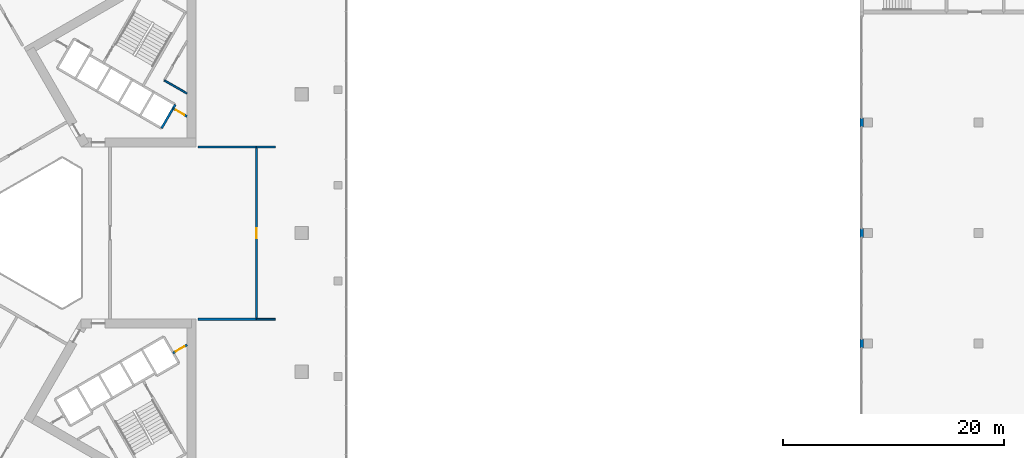
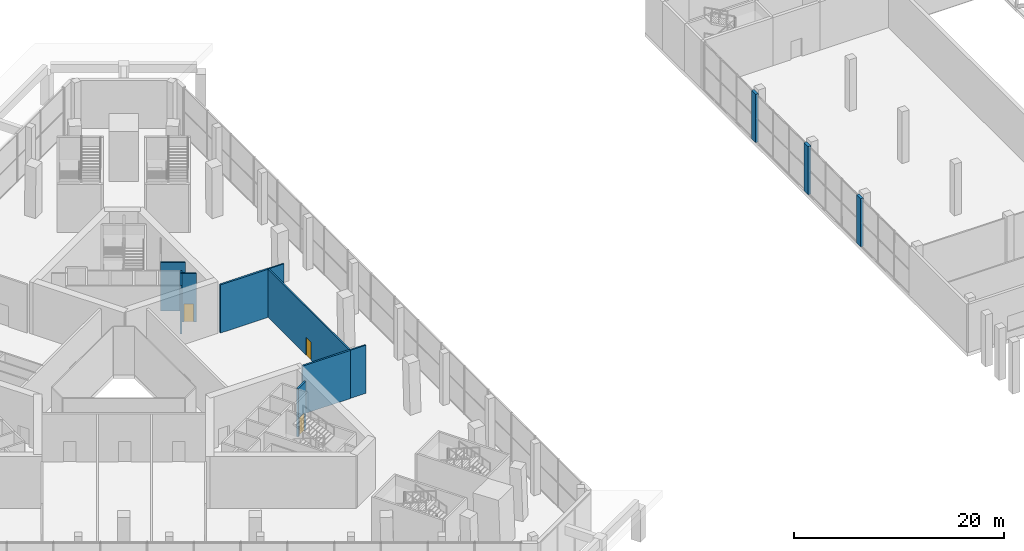
# One storey, part 29 of 51: 12 walls, 3 doors, 3 openings.
"""IFC4 building model written with IfcOpenShell, lengths in metres."""

from ifc_helpers import new_model, si_unit, direction, frame, frame_2d, origin, place, context, subcontext, project, spatial, rectangle, extrude, material, layer, layer_set, type_object, element, fill, save


model = new_model("IFC4")

# Units and contexts
model_context = context("Model", 3, precision=1e-05, world=origin(), true_north=direction((0.0, 1.0)))
body_context = subcontext(model_context, "Body", "Model", "MODEL_VIEW")
ifc_project = project(units=[si_unit("LENGTHUNIT", "METRE"), si_unit("AREAUNIT", "SQUARE_METRE"), si_unit("VOLUMEUNIT", "CUBIC_METRE"), si_unit("PLANEANGLEUNIT", "RADIAN"), si_unit("MASSUNIT", "GRAM", prefix="KILO")], contexts=[model_context])

# Site, building, storey
site_placement = place(None, origin())
site = spatial("IfcSite", under=ifc_project, at=site_placement, CompositionType="ELEMENT")
building_placement = place(site_placement, origin())
building = spatial("IfcBuilding", under=site, at=building_placement, Name="Jabali Bay Hotel Tower and Convention Centre", CompositionType="ELEMENT")
storey_placement = place(building_placement, frame((0.0, 0.0, 9.0)))
storey = spatial("IfcBuildingStorey", under=building, at=storey_placement, Name="L01", CompositionType="ELEMENT", Elevation=9.0)

# Walls
ifc_material_1 = material(Name="Concrete C40", Category="concrete")
ifc_layer_1 = layer(ifc_material_1, 0.300048828125)
ifc_layer_set_1 = layer_set([ifc_layer_1], Name="Concrete C40")
wall_type_1 = type_object("IfcWallType", Name="CC External Wall 300", PredefinedType="SOLIDWALL", material=ifc_layer_set_1)
for number, where, z_axis, x_axis, name in (
    (1, (150.14990234375, 69.60009765625, 0.0), (0.0, 0.0, 1.0), (0.0, 1.0, 0.0), "CC wall 271"),
    (2, (150.14990234375, 79.60009765625, 0.0), (0.0, 0.0, 1.0), (0.0, 1.0, 0.0), "CC wall 272"),
    (3, (150.14990234375, 89.60009765625, 0.0), (0.0, 0.0, 1.0), (0.0, 1.0, 0.0), "CC wall 273"),
):
    element("IfcWall", number, at=place(storey_placement, frame(where, z_axis=z_axis, x_axis=x_axis)), inside=storey, type_object=wall_type_1, Name=name, PredefinedType="SOLIDWALL", context=body_context, shape_type="SweptSolid", body=[
        extrude(rectangle(XDim=0.7998046875, YDim=0.300048828125, at=frame_2d((0.39990234375, 0.0))), origin(), (0.0, 0.0, 1.0), 5.590087890625),
    ])

# Wall, opening, door
ifc_layer_2 = layer(ifc_material_1, 0.199951171875)
ifc_layer_set_2 = layer_set([ifc_layer_2], Name="Concrete C40")
wall_type_2 = type_object("IfcWallType", Name="Core partition wall 200", PredefinedType="PARTITIONING", material=ifc_layer_set_2)
wall_1_placement = place(storey_placement, frame((89.080078125, 90.553955078125, 0.0), z_axis=(0.0, 0.0, 1.0), x_axis=(-0.866022048785, 0.500005810984, 0.0)))
wall_1 = element("IfcWall", 4, at=wall_1_placement, inside=storey, type_object=wall_type_2, Name="Core wall 1.11 L01", PredefinedType="PARTITIONING", context=body_context, shape_type="SweptSolid", body=[
    extrude(rectangle(XDim=1.466796875, YDim=0.199951171875, at=frame_2d((0.7333984375, 0.0))), origin(), (0.0, 0.0, 1.0), 5.60009765625),
])
opening_1_placement = place(wall_1_placement, frame((0.283447265625, 0.0, 0.0)))
opening_1 = element("IfcOpeningElement", 5, at=opening_1_placement, cuts=wall_1, Name="Opening D135", PredefinedType="OPENING", context=body_context, shape_type="SweptSolid", body=[
    extrude(rectangle(XDim=0.89990234375, YDim=2.10009765625, at=frame_2d((0.449951171875, 1.050048828125))), frame((0.0, 0.1103515625, 0.0), z_axis=(0.0, -1.0, 0.0), x_axis=(1.0, 0.0, 0.0)), (0.0, 0.0, 1.0), 0.220947265625),
])
ifc_material_2 = material(Name="Fire-rated steel door", Category="steel")
door_type_1 = type_object("IfcDoorType", Name="Vestibule fire door 900 x 2100", OperationType="NOTDEFINED", PredefinedType="NOTDEFINED", material=ifc_material_2)
door_1_placement = place(opening_1_placement, origin())
door_1 = element("IfcDoor", 6, at=door_1_placement, inside=storey, type_object=door_type_1, Name="Vestibule fire door D135", OperationType="SINGLE_SWING_LEFT", OverallHeight=2.10009765625, OverallWidth=0.89990234375, PredefinedType="NOTDEFINED", context=body_context, shape_type="SweptSolid", body=[
    extrude(rectangle(XDim=0.89990234375, YDim=2.10009765625, at=frame_2d((0.449951171875, 1.050048828125))), frame((0.0, 0.02490234375, 0.0), z_axis=(0.0, -1.0, 0.0), x_axis=(1.0, 0.0, 0.0)), (0.0, 0.0, 1.0), 0.050048828125),
])
fill(opening_1, door_1)

wall_2_placement = place(storey_placement, frame((87.814697265625, 69.154296875, 0.0), z_axis=(0.0, 0.0, 1.0), x_axis=(0.866054810376, 0.49994906283, 0.0)))
wall_2 = element("IfcWall", 7, at=wall_2_placement, inside=storey, type_object=wall_type_2, Name="Core wall 2.12 L01", PredefinedType="PARTITIONING", context=body_context, shape_type="SweptSolid", body=[
    extrude(rectangle(XDim=1.461181640625, YDim=0.199951171875, at=frame_2d((0.73046875, 0.0))), origin(), (0.0, 0.0, 1.0), 5.60009765625),
])
opening_2_placement = place(wall_2_placement, frame((0.280517578125, 0.0, 0.0)))
opening_2 = element("IfcOpeningElement", 8, at=opening_2_placement, cuts=wall_2, Name="Opening D140", PredefinedType="OPENING", context=body_context, shape_type="SweptSolid", body=[
    extrude(rectangle(XDim=0.89990234375, YDim=2.10009765625, at=frame_2d((0.449951171875, 1.050048828125))), frame((0.0, 0.1103515625, 0.0), z_axis=(0.0, -1.0, 0.0), x_axis=(1.0, 0.0, 0.0)), (0.0, 0.0, 1.0), 0.220947265625),
])
door_2_placement = place(opening_2_placement, origin())
door_2 = element("IfcDoor", 9, at=door_2_placement, inside=storey, type_object=door_type_1, Name="Vestibule fire door D140", OperationType="SINGLE_SWING_LEFT", OverallHeight=2.10009765625, OverallWidth=0.89990234375, PredefinedType="NOTDEFINED", context=body_context, shape_type="SweptSolid", body=[
    extrude(rectangle(XDim=0.89990234375, YDim=2.10009765625, at=frame_2d((0.449951171875, 1.050048828125))), frame((0.0, 0.02490234375, 0.0), z_axis=(0.0, -1.0, 0.0), x_axis=(1.0, 0.0, 0.0)), (0.0, 0.0, 1.0), 0.050048828125),
])
fill(opening_2, door_2)

# Walls
ifc_material_3 = material(Name="Fire-rated board partition")
ifc_layer_3 = layer(ifc_material_3, 0.14990234375)
ifc_layer_set_3 = layer_set([ifc_layer_3], Name="Fire-rated board partition")
wall_type_3 = type_object("IfcWallType", Name="Core room partition 150", PredefinedType="PARTITIONING", material=ifc_layer_set_3)
wall_3_placement = place(storey_placement, frame((89.080078125, 92.63232421875, 0.0), z_axis=(0.0, 0.0, 1.0), x_axis=(-0.866041951395, 0.499971337603, 0.0)))
element("IfcWall", 10, at=wall_3_placement, inside=storey, type_object=wall_type_3, Name="Core wall 1.15 L01", PredefinedType="PARTITIONING", context=body_context, shape_type="SweptSolid", body=[
    extrude(rectangle(XDim=2.377685546875, YDim=0.14990234375, at=frame_2d((1.18896484375, 0.0))), origin(), (0.0, 0.0, 1.0), 5.60009765625),
])
ifc_layer_4 = layer(ifc_material_1, 0.199951171875)
ifc_layer_set_4 = layer_set([ifc_layer_4], Name="Concrete C40")
wall_type_4 = type_object("IfcWallType", Name="Core stair wall 200", PredefinedType="SOLIDWALL", material=ifc_layer_set_4)
wall_4_placement = place(storey_placement, frame((86.769775390625, 89.48583984375, 0.0), z_axis=(0.0, 0.0, 1.0), x_axis=(0.499961042966, 0.86604789447, 0.0)))
element("IfcWall", 11, at=wall_4_placement, inside=storey, type_object=wall_type_4, Name="Core wall 1.0 L01", PredefinedType="SOLIDWALL", context=body_context, shape_type="SweptSolid", body=[
    extrude(rectangle(XDim=2.480224609375, YDim=0.199951171875, at=frame_2d((1.240234375, 0.0))), origin(), (0.0, 0.0, 1.0), 5.60009765625),
])

# Wall, opening, door
ifc_material_4 = material(Name="Plasterboard on steel stud", Category="steel")
ifc_layer_5 = layer(ifc_material_4, 0.14990234375)
ifc_layer_set_5 = layer_set([ifc_layer_5], Name="Plasterboard on steel stud")
wall_type_5 = type_object("IfcWallType", Name="Partition 150 wet", PredefinedType="PARTITIONING", material=ifc_layer_set_5)
wall_5_placement = place(storey_placement, frame((95.367919921875, 72.205810546875, 0.0), z_axis=(0.0, 0.0, 1.0), x_axis=(0.0, 1.0, 0.0)))
wall_5 = element("IfcWall", 12, at=wall_5_placement, inside=storey, type_object=wall_type_5, Name="Partition P03 L01 001", PredefinedType="PARTITIONING", context=body_context, shape_type="SweptSolid", body=[
    extrude(rectangle(XDim=15.58837890625, YDim=0.14990234375, at=frame_2d((7.794189453125, 0.0))), origin(), (0.0, 0.0, 1.0), 5.60009765625),
])
opening_3_placement = place(wall_5_placement, frame((7.343994140625, 0.0, 0.0)))
opening_3 = element("IfcOpeningElement", 13, at=opening_3_placement, cuts=wall_5, Name="Opening 0102", PredefinedType="OPENING", context=body_context, shape_type="SweptSolid", body=[
    extrude(rectangle(XDim=0.89990234375, YDim=2.10009765625, at=frame_2d((0.449951171875, 1.050048828125))), frame((0.0, 0.08544921875, 0.0), z_axis=(0.0, -1.0, 0.0), x_axis=(1.0, 0.0, 0.0)), (0.0, 0.0, 1.0), 0.1708984375),
])
ifc_material_5 = material(Name="Timber", Category="wood")
door_type_2 = type_object("IfcDoorType", Name="Internal door 900 x 2100", OperationType="NOTDEFINED", PredefinedType="NOTDEFINED", material=ifc_material_5)
door_3_placement = place(opening_3_placement, origin())
door_3 = element("IfcDoor", 14, at=door_3_placement, inside=storey, type_object=door_type_2, Name="Door 0102", OperationType="SINGLE_SWING_LEFT", OverallHeight=2.10009765625, OverallWidth=0.89990234375, PredefinedType="NOTDEFINED", context=body_context, shape_type="SweptSolid", body=[
    extrude(rectangle(XDim=0.89990234375, YDim=2.10009765625, at=frame_2d((0.449951171875, 1.050048828125))), frame((0.0, 0.02490234375, 0.0), z_axis=(0.0, -1.0, 0.0), x_axis=(1.0, 0.0, 0.0)), (0.0, 0.0, 1.0), 0.050048828125),
])
fill(opening_3, door_3)

# Walls
for number, where, z_axis, x_axis, name in (
    (15, (97.073974609375, 87.794189453125, 0.0), (0.0, 0.0, 1.0), (-1.0, 0.0, 0.0), "Partition P03 L01 004"),
    (16, (95.347900390625, 72.205810546875, 0.0), (0.0, 0.0, 1.0), (1.0, 0.0, 0.0), "Partition P03 L01 005"),
):
    element("IfcWall", number, at=place(storey_placement, frame(where, z_axis=z_axis, x_axis=x_axis)), inside=storey, type_object=wall_type_5, Name=name, PredefinedType="PARTITIONING", context=body_context, shape_type="SweptSolid", body=[
        extrude(rectangle(XDim=1.72607421875, YDim=0.14990234375, at=frame_2d((0.863037109375, 0.0))), origin(), (0.0, 0.0, 1.0), 5.60009765625),
    ])
ifc_layer_6 = layer(ifc_material_4, 0.199951171875)
ifc_layer_set_6 = layer_set([ifc_layer_6], Name="Plasterboard on steel stud")
wall_type_6 = type_object("IfcWallType", Name="Partition 200 party", PredefinedType="PARTITIONING", material=ifc_layer_set_6)
for number, where, z_axis, x_axis, name in (
    (17, (95.387939453125, 87.794189453125, 0.0), (0.0, 0.0, 1.0), (-1.0, 0.0, 0.0), "Partition P01 L01 002"),
    (18, (90.0791015625, 72.205810546875, 0.0), (0.0, 0.0, 1.0), (1.0, 0.0, 0.0), "Partition P01 L01 003"),
):
    element("IfcWall", number, at=place(storey_placement, frame(where, z_axis=z_axis, x_axis=x_axis)), inside=storey, type_object=wall_type_6, Name=name, PredefinedType="PARTITIONING", context=body_context, shape_type="SweptSolid", body=[
        extrude(rectangle(XDim=5.308837890625, YDim=0.199951171875, at=frame_2d((2.654296875, 0.0))), origin(), (0.0, 0.0, 1.0), 5.60009765625),
    ])

save(model, "model.ifc")
